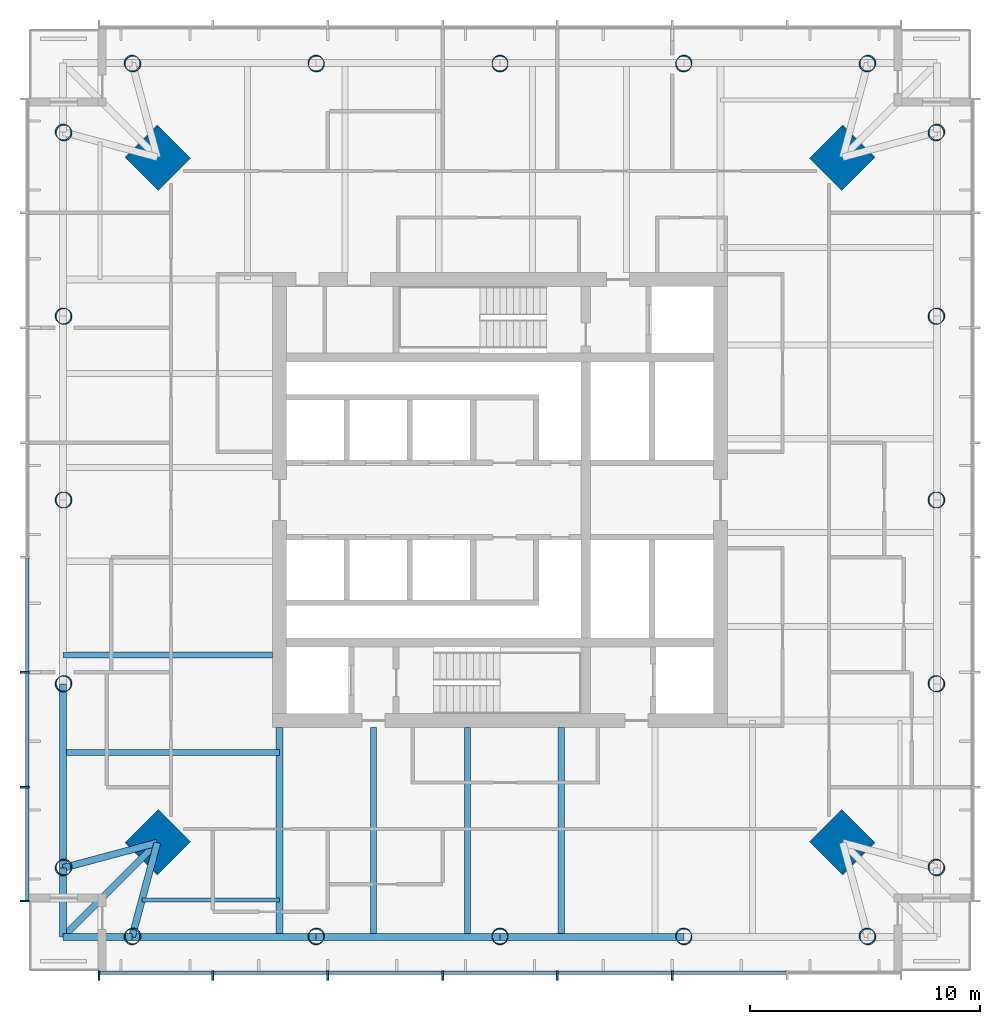
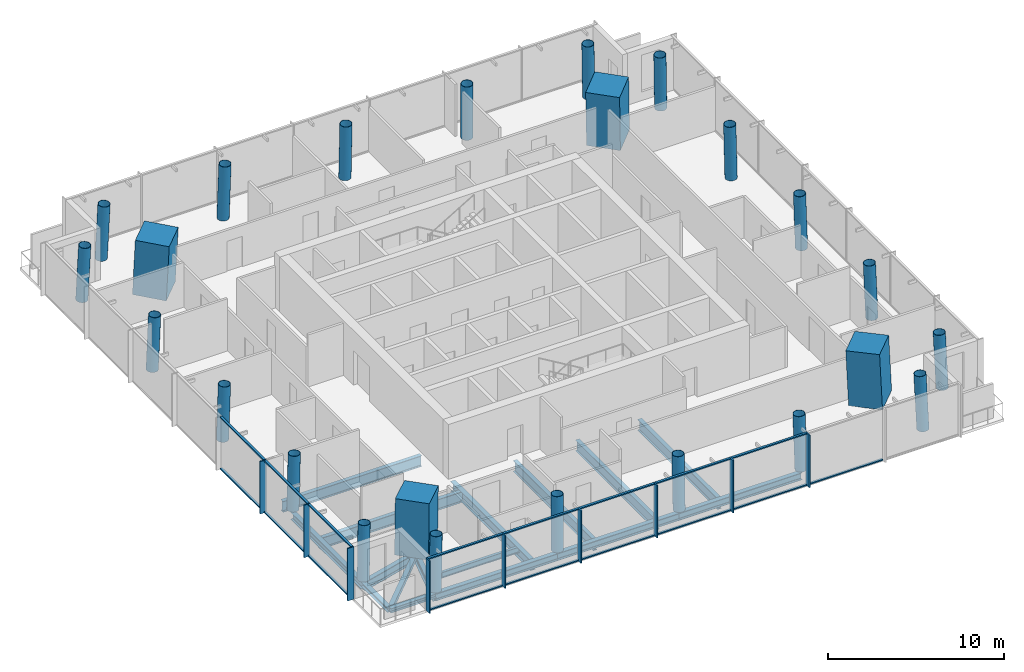
# One storey, part 1 of 9: 26 members, 24 columns, 16 beams, 2 elements without a shape of their own.
"""IFC4 building model written with IfcOpenShell, lengths in metres."""

import ifcopenshell
import ifcopenshell.guid

model = None  # the IFC model being written
_history = None  # IfcOwnerHistory: only IFC2X3 demands one
_inside = {}  # id of a spatial element -> (the spatial element, [elements in it])
_under = {}  # id of a project, library or spatial element -> (it, [spatial elements below it])
_declared = {}  # id of a project -> (the project, [libraries it declares])
_typed = {}  # id of a type object -> (the type object, [elements of that type])
_made_of = {}  # id of a material, layer set ... -> (it, [elements and type objects made of it])


def new_model(schema):
    """Start an empty IFC model of exactly this schema.

    Asked for "IFC4X3", IfcOpenShell would pick the latest addendum, in which some entities
    have other attributes; the version numbers below select the first issue.
    IFC2X3 requires an IfcOwnerHistory on every rooted entity: one is made here for all.
    """
    global model, _history
    if schema == "IFC4X3":
        model = ifcopenshell.file(schema_version=(4, 3, 0, 0))
    else:
        model = ifcopenshell.file(schema=schema)
    _inside.clear()
    _under.clear()
    _declared.clear()
    _typed.clear()
    _made_of.clear()
    _history = None
    if model.schema == "IFC2X3":
        org = make("IfcOrganization", Name="unknown")
        user = make(
            "IfcPersonAndOrganization",
            ThePerson=make("IfcPerson", FamilyName="unknown"),
            TheOrganization=org,
        )
        app = make(
            "IfcApplication",
            ApplicationDeveloper=org,
            Version="unknown",
            ApplicationFullName="unknown",
            ApplicationIdentifier="unknown",
        )
        _history = make(
            "IfcOwnerHistory",
            OwningUser=user,
            OwningApplication=app,
            ChangeAction="ADDED",
            CreationDate=0,
        )
    return model


def make(cls, **values):
    """One entity of the class cls with the attributes given. An attribute that is None is left unset."""
    return model.create_entity(
        cls, **{name: value for name, value in values.items() if value is not None}
    )


def rooted(cls, **values):
    """An entity with a GlobalId (a new one), such as an element, a storey or a relation."""
    return make(cls, GlobalId=ifcopenshell.guid.new(), OwnerHistory=_history, **values)


def si_unit(unit_type, name, prefix=None):
    """IfcSIUnit, for example si_unit("LENGTHUNIT", "METRE", prefix="MILLI")."""
    return make("IfcSIUnit", UnitType=unit_type, Prefix=prefix, Name=name)


def assignment(units):
    """IfcUnitAssignment: the units of a project."""
    return None if units is None else make("IfcUnitAssignment", Units=units)


def point(xyz):
    """IfcCartesianPoint."""
    return None if xyz is None else make("IfcCartesianPoint", Coordinates=xyz)


def direction(xyz):
    """IfcDirection."""
    return None if xyz is None else make("IfcDirection", DirectionRatios=xyz)


def frame(location, z_axis=None, x_axis=None):
    """IfcAxis2Placement3D, a coordinate frame: its origin and axes. An axis left out is left unset."""
    return make(
        "IfcAxis2Placement3D",
        Location=point(location),
        Axis=direction(z_axis),
        RefDirection=direction(x_axis),
    )


def frame_2d(location, x_axis=None):
    """IfcAxis2Placement2D, a coordinate frame in the plane: its origin and x axis."""
    return make(
        "IfcAxis2Placement2D", Location=point(location), RefDirection=direction(x_axis)
    )


def origin():
    """The frame at (0, 0, 0) with its axes left unset."""
    return frame((0.0, 0.0, 0.0))


def origin_2d():
    """The frame at (0, 0) in the plane with its x axis left unset."""
    return frame_2d((0.0, 0.0))


def place(relative_to, where):
    """IfcLocalPlacement: puts the frame where relative to a parent placement (None: the world)."""
    return make(
        "IfcLocalPlacement", PlacementRelTo=relative_to, RelativePlacement=where
    )


def context(
    kind, dimensions, precision=None, world=None, true_north=None, identifier=None
):
    """IfcGeometricRepresentationContext, for example the 3D "Model" context."""
    return make(
        "IfcGeometricRepresentationContext",
        ContextIdentifier=identifier,
        ContextType=kind,
        CoordinateSpaceDimension=dimensions,
        Precision=precision,
        WorldCoordinateSystem=world,
        TrueNorth=true_north,
    )


def subcontext(parent, identifier, kind, view, scale=None):
    """IfcGeometricRepresentationSubContext, for example "Body" below "Model"."""
    return make(
        "IfcGeometricRepresentationSubContext",
        ContextIdentifier=identifier,
        ContextType=kind,
        ParentContext=parent,
        TargetScale=scale,
        TargetView=view,
    )


def project(units=None, contexts=None):
    """IfcProject with its units and contexts."""
    return rooted(
        "IfcProject",
        Name="project",
        RepresentationContexts=contexts,
        UnitsInContext=assignment(units),
    )


def spatial(cls, under=None, at=None, **own):
    """A site, building, storey or space (cls), placed at a placement, below another one or the project."""
    s = rooted(cls, ObjectPlacement=at, **own)
    if under is not None:
        _under.setdefault(under.id(), (under, []))[1].append(s)
    return s


def profile(cls, at=None, kind="AREA", **sizes):
    """A parametric profile (cls). Its sizes go by their IFC names, for example OverallWidth=200.0."""
    return make(cls, ProfileType=kind, Position=at, **sizes)


def rectangle(**sizes):
    """IfcRectangleProfileDef."""
    return profile("IfcRectangleProfileDef", **sizes)


def hollow_circle(**sizes):
    """IfcCircleHollowProfileDef."""
    return profile("IfcCircleHollowProfileDef", **sizes)


def i_section(**sizes):
    """IfcIShapeProfileDef."""
    return profile("IfcIShapeProfileDef", **sizes)


def extrude(swept, where, along, depth):
    """IfcExtrudedAreaSolid: the profile swept, set in the frame where, extruded along a direction by depth."""
    return make(
        "IfcExtrudedAreaSolid",
        SweptArea=swept,
        Position=where,
        ExtrudedDirection=direction(along),
        Depth=depth,
    )


def shape(context_of_items, identifier, shape_type, items):
    """IfcShapeRepresentation: the items that make up one representation, for example the "Body"."""
    return make(
        "IfcShapeRepresentation",
        ContextOfItems=context_of_items,
        RepresentationIdentifier=identifier,
        RepresentationType=shape_type,
        Items=items,
    )


def material(Name=None, Category=None):
    """IfcMaterial."""
    return make("IfcMaterial", Name=Name, Category=Category)


def material_profile(
    of_material, cross_section, Name=None, Category=None, Priority=None
):
    """IfcMaterialProfile: a cross section and its material."""
    return make(
        "IfcMaterialProfile",
        Name=Name,
        Material=of_material,
        Profile=cross_section,
        Priority=Priority,
        Category=Category,
    )


def profile_set(profiles, Name=None, composite=None):
    """IfcMaterialProfileSet."""
    return make(
        "IfcMaterialProfileSet",
        Name=Name,
        MaterialProfiles=profiles,
        CompositeProfile=composite,
    )


def made_of(thing, what):
    """Note that an element or type object is made of a material, layer set ...; save() writes the relation."""
    if what is not None:
        _made_of.setdefault(what.id(), (what, []))[1].append(thing)
    return thing


def type_object(cls, material=None, **own):
    """A type object (cls), such as IfcWallType, which elements share."""
    return made_of(rooted(cls, **own), material)


def element(
    cls,
    number,
    at=None,
    inside=None,
    cuts=None,
    type_object=None,
    material=None,
    context=None,
    identifier="Body",
    shape_type=None,
    held_by="IfcProductDefinitionShape",
    body=None,
    shapes=None,
    **own,
):
    """One element of the class cls, such as IfcWall. Its Tag is "e" and its number.

    at: its placement. inside: the storey or other place that contains it. cuts: it is an
    opening in that element (IfcRelVoidsElement). A single representation is given by context,
    identifier, shape_type and body (its items); several are given by shapes. held_by: the class
    of the entity that holds the representations. save() writes the other relations.
    """
    e = rooted(cls, Tag="e%d" % number, ObjectPlacement=at, **own)
    if body is not None:
        shapes = [shape(context, identifier, shape_type, body)]
    if shapes is not None:
        e.Representation = make(held_by, Representations=shapes)
    if inside is not None:
        _inside.setdefault(inside.id(), (inside, []))[1].append(e)
    if cuts is not None:
        rooted(
            "IfcRelVoidsElement", RelatingBuildingElement=cuts, RelatedOpeningElement=e
        )
    if type_object is not None:
        _typed.setdefault(type_object.id(), (type_object, []))[1].append(e)
    return made_of(e, material)


def aggregate(whole, parts):
    """IfcRelAggregates: a whole, such as a stair, and the parts it consists of."""
    return rooted("IfcRelAggregates", RelatingObject=whole, RelatedObjects=parts)


def save(model, path):
    """Write the relations noted so far, then the file.

    IfcRelAggregates (storeys below a building ...), IfcRelContainedInSpatialStructure (elements
    in a storey), IfcRelDefinesByType, IfcRelAssociatesMaterial and IfcRelDeclares: one each for
    every whole, place, type object, material and project.
    """
    for whole, parts in _under.values():
        aggregate(whole, parts)
    for where, things in _inside.values():
        rooted(
            "IfcRelContainedInSpatialStructure",
            RelatedElements=things,
            RelatingStructure=where,
        )
    for kind, things in _typed.values():
        rooted("IfcRelDefinesByType", RelatedObjects=things, RelatingType=kind)
    for what, things in _made_of.values():
        rooted("IfcRelAssociatesMaterial", RelatedObjects=things, RelatingMaterial=what)
    for by, libraries in _declared.values():
        rooted("IfcRelDeclares", RelatingContext=by, RelatedDefinitions=libraries)
    model.write(path)


model = new_model("IFC4")

# Units and contexts
model_context = context("Model", 3, precision=1e-05, world=origin(), true_north=direction((0.0, 1.0)))
body_context = subcontext(model_context, "Body", "Model", "MODEL_VIEW")
ifc_project = project(units=[si_unit("LENGTHUNIT", "METRE"), si_unit("AREAUNIT", "SQUARE_METRE"), si_unit("VOLUMEUNIT", "CUBIC_METRE"), si_unit("PLANEANGLEUNIT", "RADIAN"), si_unit("MASSUNIT", "GRAM", prefix="KILO")], contexts=[model_context])

# Site, building, storey
site_placement = place(None, origin())
site = spatial("IfcSite", under=ifc_project, at=site_placement, CompositionType="ELEMENT")
building_placement = place(site_placement, origin())
building = spatial("IfcBuilding", under=site, at=building_placement, Name="Ostroluk Exchange", CompositionType="ELEMENT")
storey_placement = place(building_placement, frame((0.0, 0.0, 176.800048828125)))
storey = spatial("IfcBuildingStorey", under=building, at=storey_placement, Name="L45", CompositionType="ELEMENT", Elevation=176.800048828125)

# Columns
ifc_material_1 = material(Name="Concrete C50/60", Category="concrete")
ifc_material_profile_1 = material_profile(ifc_material_1, rectangle(XDim=2.0, YDim=2.0, at=origin_2d()), Name="RC 2000x2000")
ifc_profile_set_1 = profile_set([ifc_material_profile_1], Name="Concrete C50/60")
column_type_1 = type_object("IfcColumnType", Name="Mega column RC 2000x2000", PredefinedType="COLUMN", material=ifc_profile_set_1)
for number, where, z_axis, x_axis, name in (
    (1, (59.92138671875, 60.92138671875, 0.0), (-0.031898107953, -0.031898107953, 0.998981992539), (0.707106781187, -0.707106781187, 0.0), "T1 mega column NE"),
    (2, (30.07861328125, 60.92138671875, 0.0), (0.031898107953, -0.031898107953, 0.998981992539), (0.707106781187, 0.707106781187, 0.0), "T1 mega column NW"),
    (3, (30.07861328125, 31.07861328125, 0.0), (0.031898107953, 0.031898107953, 0.998981992539), (-0.707106781187, 0.707106781187, 0.0), "T1 mega column SW"),
    (4, (59.92138671875, 31.07861328125, 0.0), (-0.031898107953, 0.031898107953, 0.998981992539), (-0.707106781187, -0.707106781187, 0.0), "T1 mega column SE"),
):
    element("IfcColumn", number, at=place(storey_placement, frame(where, z_axis=z_axis, x_axis=x_axis)), inside=storey, type_object=column_type_1, Name=name, PredefinedType="COLUMN", context=body_context, shape_type="SweptSolid", body=[
        extrude(rectangle(XDim=2.0, YDim=2.0, at=origin_2d()), origin(), (0.0, 0.0, 1.0), 3.803955078125),
    ])
ifc_material_2 = material(Name="Steel S460", Category="steel")
ifc_material_profile_2 = material_profile(ifc_material_2, hollow_circle(Radius=0.35546875, WallThickness=0.02490234375, at=origin_2d()), Name="CHS 711x25")
ifc_profile_set_2 = profile_set([ifc_material_profile_2], Name="Steel S460")
column_type_2 = type_object("IfcColumnType", Name="Perimeter column CHS 711x25", PredefinedType="COLUMN", material=ifc_profile_set_2)
for number, where, z_axis, x_axis, name in (
    (5, (64.021484375, 29.978515625, 0.0), (-0.031962158256, 0.031962158256, 0.998977898093), (-0.707106781187, -0.707106781187, 0.0), "T1 east face column E0"),
    (6, (64.021484375, 62.021484375, 0.0), (-0.031962158256, -0.031962158256, 0.998977898093), (0.707106781187, -0.707106781187, 0.0), "T1 east face column E1"),
):
    element("IfcColumn", number, at=place(storey_placement, frame(where, z_axis=z_axis, x_axis=x_axis)), inside=storey, type_object=column_type_2, Name=name, PredefinedType="COLUMN", context=body_context, shape_type="SweptSolid", body=[
        extrude(hollow_circle(Radius=0.35546875, WallThickness=0.02490234375, at=origin_2d()), origin(), (0.0, 0.0, 1.0), 3.803955078125),
    ])
column_1_placement = place(storey_placement, frame((64.021484375, 37.9892578125, 0.0), z_axis=(-0.031974409754, 0.015987204877, 0.999360818924), x_axis=(-0.4472135955, -0.894427191, 0.0)))
element("IfcColumn", 7, at=column_1_placement, inside=storey, type_object=column_type_2, Name="T1 east face column I1", PredefinedType="COLUMN", context=body_context, shape_type="SweptSolid", body=[
    extrude(hollow_circle(Radius=0.35546875, WallThickness=0.02490234375, at=origin_2d()), origin(), (0.0, 0.0, 1.0), 3.802490234375),
])
column_2_placement = place(storey_placement, frame((64.021484375, 46.0, 0.0), z_axis=(-0.031978496719, 0.0, 0.999488557087), x_axis=(0.0, -1.0, 0.0)))
element("IfcColumn", 8, at=column_2_placement, inside=storey, type_object=column_type_2, Name="T1 east face column I2", PredefinedType="COLUMN", context=body_context, shape_type="SweptSolid", body=[
    extrude(hollow_circle(Radius=0.35546875, WallThickness=0.02490234375, at=origin_2d()), origin(), (0.0, 0.0, 1.0), 3.802001953125),
])
column_3_placement = place(storey_placement, frame((64.021484375, 54.0107421875, 0.0), z_axis=(-0.031974409754, -0.015987204877, 0.999360818924), x_axis=(0.4472135955, -0.894427191, 0.0)))
element("IfcColumn", 9, at=column_3_placement, inside=storey, type_object=column_type_2, Name="T1 east face column I3", PredefinedType="COLUMN", context=body_context, shape_type="SweptSolid", body=[
    extrude(hollow_circle(Radius=0.35546875, WallThickness=0.02490234375, at=origin_2d()), origin(), (0.0, 0.0, 1.0), 3.802490234375),
])
for number, where, z_axis, x_axis, name in (
    (10, (61.021484375, 65.021484375, 0.0), (-0.031962158256, -0.031962158256, 0.998977898093), (0.707106781187, -0.707106781187, 0.0), "T1 north face column E0"),
    (11, (28.978515625, 65.021484375, 0.0), (0.031962158256, -0.031962158256, 0.998977898093), (0.707106781187, 0.707106781187, 0.0), "T1 north face column E1"),
):
    element("IfcColumn", number, at=place(storey_placement, frame(where, z_axis=z_axis, x_axis=x_axis)), inside=storey, type_object=column_type_2, Name=name, PredefinedType="COLUMN", context=body_context, shape_type="SweptSolid", body=[
        extrude(hollow_circle(Radius=0.35546875, WallThickness=0.02490234375, at=origin_2d()), origin(), (0.0, 0.0, 1.0), 3.803955078125),
    ])
column_4_placement = place(storey_placement, frame((53.0107421875, 65.021484375, 0.0), z_axis=(-0.015987204877, -0.031974409754, 0.999360818924), x_axis=(0.894427191, -0.4472135955, 0.0)))
element("IfcColumn", 12, at=column_4_placement, inside=storey, type_object=column_type_2, Name="T1 north face column I1", PredefinedType="COLUMN", context=body_context, shape_type="SweptSolid", body=[
    extrude(hollow_circle(Radius=0.35546875, WallThickness=0.02490234375, at=origin_2d()), origin(), (0.0, 0.0, 1.0), 3.802490234375),
])
column_5_placement = place(storey_placement, frame((45.0, 65.021484375, 0.0), z_axis=(0.0, -0.031978496719, 0.999488557087), x_axis=(1.0, 0.0, 0.0)))
element("IfcColumn", 13, at=column_5_placement, inside=storey, type_object=column_type_2, Name="T1 north face column I2", PredefinedType="COLUMN", context=body_context, shape_type="SweptSolid", body=[
    extrude(hollow_circle(Radius=0.35546875, WallThickness=0.02490234375, at=origin_2d()), origin(), (0.0, 0.0, 1.0), 3.802001953125),
])
column_6_placement = place(storey_placement, frame((36.9892578125, 65.021484375, 0.0), z_axis=(0.015987204877, -0.031974409754, 0.999360818924), x_axis=(0.894427191, 0.4472135955, 0.0)))
element("IfcColumn", 14, at=column_6_placement, inside=storey, type_object=column_type_2, Name="T1 north face column I3", PredefinedType="COLUMN", context=body_context, shape_type="SweptSolid", body=[
    extrude(hollow_circle(Radius=0.35546875, WallThickness=0.02490234375, at=origin_2d()), origin(), (0.0, 0.0, 1.0), 3.802490234375),
])
for number, where, z_axis, x_axis, name in (
    (15, (25.978515625, 62.021484375, 0.0), (0.031962158256, -0.031962158256, 0.998977898093), (0.707106781187, 0.707106781187, 0.0), "T1 west face column E0"),
    (16, (25.978515625, 29.978515625, 0.0), (0.031962158256, 0.031962158256, 0.998977898093), (-0.707106781187, 0.707106781187, 0.0), "T1 west face column E1"),
):
    element("IfcColumn", number, at=place(storey_placement, frame(where, z_axis=z_axis, x_axis=x_axis)), inside=storey, type_object=column_type_2, Name=name, PredefinedType="COLUMN", context=body_context, shape_type="SweptSolid", body=[
        extrude(hollow_circle(Radius=0.35546875, WallThickness=0.02490234375, at=origin_2d()), origin(), (0.0, 0.0, 1.0), 3.803955078125),
    ])
column_7_placement = place(storey_placement, frame((25.978515625, 54.0107421875, 0.0), z_axis=(0.031974409754, -0.015987204877, 0.999360818924), x_axis=(0.4472135955, 0.894427191, 0.0)))
element("IfcColumn", 17, at=column_7_placement, inside=storey, type_object=column_type_2, Name="T1 west face column I1", PredefinedType="COLUMN", context=body_context, shape_type="SweptSolid", body=[
    extrude(hollow_circle(Radius=0.35546875, WallThickness=0.02490234375, at=origin_2d()), origin(), (0.0, 0.0, 1.0), 3.802490234375),
])
column_8_placement = place(storey_placement, frame((25.978515625, 46.0, 0.0), z_axis=(0.031978496719, 0.0, 0.999488557087), x_axis=(0.0, 1.0, 0.0)))
element("IfcColumn", 18, at=column_8_placement, inside=storey, type_object=column_type_2, Name="T1 west face column I2", PredefinedType="COLUMN", context=body_context, shape_type="SweptSolid", body=[
    extrude(hollow_circle(Radius=0.35546875, WallThickness=0.02490234375, at=origin_2d()), origin(), (0.0, 0.0, 1.0), 3.802001953125),
])
column_9_placement = place(storey_placement, frame((25.978515625, 37.9892578125, 0.0), z_axis=(0.031974409754, 0.015987204877, 0.999360818924), x_axis=(-0.4472135955, 0.894427191, 0.0)))
element("IfcColumn", 19, at=column_9_placement, inside=storey, type_object=column_type_2, Name="T1 west face column I3", PredefinedType="COLUMN", context=body_context, shape_type="SweptSolid", body=[
    extrude(hollow_circle(Radius=0.35546875, WallThickness=0.02490234375, at=origin_2d()), origin(), (0.0, 0.0, 1.0), 3.802490234375),
])
for number, where, z_axis, x_axis, name in (
    (20, (28.978515625, 26.978515625, 0.0), (0.031962158256, 0.031962158256, 0.998977898093), (-0.707106781187, 0.707106781187, 0.0), "T1 south face column E0"),
    (21, (61.021484375, 26.978515625, 0.0), (-0.031962158256, 0.031962158256, 0.998977898093), (-0.707106781187, -0.707106781187, 0.0), "T1 south face column E1"),
):
    element("IfcColumn", number, at=place(storey_placement, frame(where, z_axis=z_axis, x_axis=x_axis)), inside=storey, type_object=column_type_2, Name=name, PredefinedType="COLUMN", context=body_context, shape_type="SweptSolid", body=[
        extrude(hollow_circle(Radius=0.35546875, WallThickness=0.02490234375, at=origin_2d()), origin(), (0.0, 0.0, 1.0), 3.803955078125),
    ])
column_10_placement = place(storey_placement, frame((36.9892578125, 26.978515625, 0.0), z_axis=(0.015987204877, 0.031974409754, 0.999360818924), x_axis=(-0.894427191, 0.4472135955, 0.0)))
element("IfcColumn", 22, at=column_10_placement, inside=storey, type_object=column_type_2, Name="T1 south face column I1", PredefinedType="COLUMN", context=body_context, shape_type="SweptSolid", body=[
    extrude(hollow_circle(Radius=0.35546875, WallThickness=0.02490234375, at=origin_2d()), origin(), (0.0, 0.0, 1.0), 3.802490234375),
])
column_11_placement = place(storey_placement, frame((45.0, 26.978515625, 0.0), z_axis=(0.0, 0.031978496719, 0.999488557087), x_axis=(-1.0, 0.0, 0.0)))
element("IfcColumn", 23, at=column_11_placement, inside=storey, type_object=column_type_2, Name="T1 south face column I2", PredefinedType="COLUMN", context=body_context, shape_type="SweptSolid", body=[
    extrude(hollow_circle(Radius=0.35546875, WallThickness=0.02490234375, at=origin_2d()), origin(), (0.0, 0.0, 1.0), 3.802001953125),
])
column_12_placement = place(storey_placement, frame((53.0107421875, 26.978515625, 0.0), z_axis=(-0.015987204877, 0.031974409754, 0.999360818924), x_axis=(-0.894427191, -0.4472135955, 0.0)))
element("IfcColumn", 24, at=column_12_placement, inside=storey, type_object=column_type_2, Name="T1 south face column I3", PredefinedType="COLUMN", context=body_context, shape_type="SweptSolid", body=[
    extrude(hollow_circle(Radius=0.35546875, WallThickness=0.02490234375, at=origin_2d()), origin(), (0.0, 0.0, 1.0), 3.802490234375),
])

# Beams
ifc_material_3 = material(Name="Steel S355", Category="steel")
ifc_material_profile_3 = material_profile(ifc_material_3, i_section(OverallWidth=0.300048828125, OverallDepth=0.300048828125, WebThickness=0.010986328125, FlangeThickness=0.01904296875, FilletRadius=0.027099609375, at=origin_2d()), Name="HEB 300")
ifc_profile_set_3 = profile_set([ifc_material_profile_3], Name="Steel S355")
beam_type_1 = type_object("IfcBeamType", Name="Balcony beam HEB 300", PredefinedType="BEAM", material=ifc_profile_set_3)
for number, where, z_axis, x_axis, name in (
    (25, (25.978515625, 29.978515625, -0.330078125), (0.0, -1.0, 0.0), (1.0, 0.0, 0.0), "T1 west balcony beam a"),
    (26, (28.978515625, 26.978515625, -0.330078125), (-1.0, 0.0, 0.0), (0.0, -1.0, 0.0), "T1 west balcony beam b"),
):
    element("IfcBeam", number, at=place(storey_placement, frame(where, z_axis=z_axis, x_axis=x_axis)), inside=storey, type_object=beam_type_1, Name=name, PredefinedType="BEAM", context=body_context, shape_type="SweptSolid", body=[
        extrude(i_section(OverallWidth=0.300048828125, OverallDepth=0.300048828125, WebThickness=0.010986328125, FlangeThickness=0.01904296875, FilletRadius=0.027099609375, at=origin_2d()), origin(), (0.0, 0.0, 1.0), 3.0),
    ])
beam_1_placement = place(storey_placement, frame((30.07861328125, 31.07861328125, -0.330078125), z_axis=(-0.707106781187, -0.707106781187, 0.0), x_axis=(0.707106781187, -0.707106781187, 0.0)))
element("IfcBeam", 27, at=beam_1_placement, inside=storey, type_object=beam_type_1, Name="T1 west balcony beam c", PredefinedType="BEAM", context=body_context, shape_type="SweptSolid", body=[
    extrude(i_section(OverallWidth=0.300048828125, OverallDepth=0.300048828125, WebThickness=0.010986328125, FlangeThickness=0.01904296875, FilletRadius=0.027099609375, at=origin_2d()), origin(), (0.0, 0.0, 1.0), 5.79833984375),
])
ifc_material_4 = material(Name="Steel S355", Category="steel")
ifc_material_profile_4 = material_profile(ifc_material_4, i_section(OverallWidth=0.300048828125, OverallDepth=0.60009765625, WebThickness=0.015380859375, FlangeThickness=0.030029296875, FilletRadius=0.027099609375, at=origin_2d()), Name="HEB 600")
ifc_profile_set_4 = profile_set([ifc_material_profile_4], Name="Steel S355")
beam_type_2 = type_object("IfcBeamType", Name="Corner edge beam HEB 600", PredefinedType="SPANDREL", material=ifc_profile_set_4)
for number, where, z_axis, x_axis, name in (
    (28, (30.07861328125, 31.07861328125, -0.47998046875), (-0.965838624319, -0.259144268261, 0.0), (0.259144268261, -0.965838624319, 0.0), "T1 west corner edge beam a"),
    (29, (30.07861328125, 31.07861328125, -0.47998046875), (-0.259144268261, -0.965838624319, 0.0), (0.965838624319, -0.259144268261, 0.0), "T1 west corner edge beam b"),
):
    element("IfcBeam", number, at=place(storey_placement, frame(where, z_axis=z_axis, x_axis=x_axis)), inside=storey, type_object=beam_type_2, Name=name, PredefinedType="SPANDREL", context=body_context, shape_type="SweptSolid", body=[
        extrude(i_section(OverallWidth=0.300048828125, OverallDepth=0.60009765625, WebThickness=0.015380859375, FlangeThickness=0.030029296875, FilletRadius=0.027099609375, at=origin_2d()), origin(), (0.0, 0.0, 1.0), 4.2451171875),
    ])
ifc_material_5 = material(Name="Steel S355", Category="steel")
ifc_material_profile_5 = material_profile(ifc_material_5, i_section(OverallWidth=0.179931640625, OverallDepth=0.39990234375, WebThickness=0.008544921875, FlangeThickness=0.013427734375, FilletRadius=0.02099609375, at=origin_2d()), Name="IPE 400")
ifc_profile_set_5 = profile_set([ifc_material_profile_5], Name="Steel S355")
beam_type_3 = type_object("IfcBeamType", Name="Floor beam IPE 400", PredefinedType="BEAM", material=ifc_profile_set_5)
beam_2_placement = place(storey_placement, frame((35.39990234375, 28.57861328125, -0.380126953125), z_axis=(-1.0, 0.0, 0.0), x_axis=(0.0, -1.0, 0.0)))
element("IfcBeam", 30, at=beam_2_placement, inside=storey, type_object=beam_type_3, Name="T1 west floor beam 6", PredefinedType="BEAM", context=body_context, shape_type="SweptSolid", body=[
    extrude(i_section(OverallWidth=0.179931640625, OverallDepth=0.39990234375, WebThickness=0.008544921875, FlangeThickness=0.013427734375, FilletRadius=0.02099609375, at=origin_2d()), origin(), (0.0, 0.0, 1.0), 5.991943359375),
])
ifc_material_6 = material(Name="Steel S355", Category="steel")
ifc_material_profile_6 = material_profile(ifc_material_6, i_section(OverallWidth=0.264892578125, OverallDepth=0.7529296875, WebThickness=0.01318359375, FlangeThickness=0.01708984375, FilletRadius=0.01708984375, at=origin_2d()), Name="IPE 750x147")
ifc_profile_set_6 = profile_set([ifc_material_profile_6], Name="Steel S355")
beam_type_4 = type_object("IfcBeamType", Name="Floor beam IPE 750x147", PredefinedType="BEAM", material=ifc_profile_set_6)
beam_3_placement = place(storey_placement, frame((35.10009765625, 39.244873046875, -0.556640625), z_axis=(-1.0, 0.0, 0.0), x_axis=(0.0, -1.0, 0.0)))
element("IfcBeam", 31, at=beam_3_placement, inside=storey, type_object=beam_type_4, Name="T1 west floor beam 4", PredefinedType="BEAM", context=body_context, shape_type="SweptSolid", body=[
    extrude(i_section(OverallWidth=0.264892578125, OverallDepth=0.7529296875, WebThickness=0.01318359375, FlangeThickness=0.01708984375, FilletRadius=0.01708984375, at=origin_2d()), origin(), (0.0, 0.0, 1.0), 9.12158203125),
])
beam_4_placement = place(storey_placement, frame((35.39990234375, 35.0, -0.556640625), z_axis=(-1.0, 0.0, 0.0), x_axis=(0.0, -1.0, 0.0)))
element("IfcBeam", 32, at=beam_4_placement, inside=storey, type_object=beam_type_4, Name="T1 west floor beam 5", PredefinedType="BEAM", context=body_context, shape_type="SweptSolid", body=[
    extrude(i_section(OverallWidth=0.264892578125, OverallDepth=0.7529296875, WebThickness=0.01318359375, FlangeThickness=0.01708984375, FilletRadius=0.01708984375, at=origin_2d()), origin(), (0.0, 0.0, 1.0), 9.42138671875),
])
for number, where, z_axis, x_axis, name in (
    (33, (39.48876953125, 36.10009765625, -0.556640625), (0.0, -1.0, 0.0), (1.0, 0.0, 0.0), "T1 south floor beam 1"),
    (34, (43.57763671875, 36.10009765625, -0.556640625), (0.0, -1.0, 0.0), (1.0, 0.0, 0.0), "T1 south floor beam 2"),
    (35, (47.666259765625, 36.10009765625, -0.556640625), (0.0, -1.0, 0.0), (1.0, 0.0, 0.0), "T1 south floor beam 3"),
):
    element("IfcBeam", number, at=place(storey_placement, frame(where, z_axis=z_axis, x_axis=x_axis)), inside=storey, type_object=beam_type_4, Name=name, PredefinedType="BEAM", context=body_context, shape_type="SweptSolid", body=[
        extrude(i_section(OverallWidth=0.264892578125, OverallDepth=0.7529296875, WebThickness=0.01318359375, FlangeThickness=0.01708984375, FilletRadius=0.01708984375, at=origin_2d()), origin(), (0.0, 0.0, 1.0), 9.12158203125),
    ])
ifc_material_7 = material(Name="Steel S355", Category="steel")
ifc_material_profile_7 = material_profile(ifc_material_7, i_section(OverallWidth=0.300048828125, OverallDepth=0.699951171875, WebThickness=0.01708984375, FlangeThickness=0.031982421875, FilletRadius=0.027099609375, at=origin_2d()), Name="HEB 700")
ifc_profile_set_7 = profile_set([ifc_material_profile_7], Name="Steel S355")
beam_type_5 = type_object("IfcBeamType", Name="Girder HEB 700", PredefinedType="BEAM", material=ifc_profile_set_7)
beam_5_placement = place(storey_placement, frame((35.39990234375, 36.10009765625, -0.530029296875), z_axis=(0.0, -1.0, 0.0), x_axis=(1.0, 0.0, 0.0)))
element("IfcBeam", 36, at=beam_5_placement, inside=storey, type_object=beam_type_5, Name="T1 west girder", PredefinedType="BEAM", context=body_context, shape_type="SweptSolid", body=[
    extrude(i_section(OverallWidth=0.300048828125, OverallDepth=0.699951171875, WebThickness=0.01708984375, FlangeThickness=0.031982421875, FilletRadius=0.027099609375, at=origin_2d()), origin(), (0.0, 0.0, 1.0), 9.12158203125),
])
ifc_material_8 = material(Name="Steel S355", Category="steel")
ifc_material_profile_8 = material_profile(ifc_material_8, i_section(OverallWidth=0.300048828125, OverallDepth=0.5, WebThickness=0.014404296875, FlangeThickness=0.028076171875, FilletRadius=0.027099609375, at=origin_2d()), Name="HEB 500")
ifc_profile_set_8 = profile_set([ifc_material_profile_8], Name="Steel S355")
beam_type_6 = type_object("IfcBeamType", Name="Moment-connected edge beam HEB 500", PredefinedType="SPANDREL", material=ifc_profile_set_8)
for number, where, z_axis, x_axis, name in (
    (37, (25.978515625, 37.9892578125, -0.429931640625), (0.0, -1.0, 0.0), (1.0, 0.0, 0.0), "T1 west edge beam 4"),
    (38, (28.978515625, 26.978515625, -0.429931640625), (1.0, 0.0, 0.0), (0.0, 1.0, 0.0), "T1 south edge beam 1"),
    (39, (36.9892578125, 26.978515625, -0.429931640625), (1.0, 0.0, 0.0), (0.0, 1.0, 0.0), "T1 south edge beam 2"),
    (40, (45.0, 26.978515625, -0.429931640625), (1.0, 0.0, 0.0), (0.0, 1.0, 0.0), "T1 south edge beam 3"),
):
    element("IfcBeam", number, at=place(storey_placement, frame(where, z_axis=z_axis, x_axis=x_axis)), inside=storey, type_object=beam_type_6, Name=name, PredefinedType="SPANDREL", context=body_context, shape_type="SweptSolid", body=[
        extrude(i_section(OverallWidth=0.300048828125, OverallDepth=0.5, WebThickness=0.014404296875, FlangeThickness=0.028076171875, FilletRadius=0.027099609375, at=origin_2d()), origin(), (0.0, 0.0, 1.0), 8.0107421875),
    ])

# Curtain wall, members
ifc_material_9 = material(Name="Laminated clear glass", Category="glass")
curtain_wall_type = type_object("IfcCurtainWallType", Name="Office tower facade", PredefinedType="USERDEFINED", material=ifc_material_9)
curtain_wall_1_placement = place(storey_placement, origin())
curtain_wall_1 = element("IfcCurtainWall", 41, at=curtain_wall_1_placement, inside=storey, type_object=curtain_wall_type, Name="Office tower south facade L45", ObjectType="UNITISED CURTAIN WALL", PredefinedType="USERDEFINED")
ifc_material_10 = material(Name="Aluminium mullion", Category="aluminium")
ifc_material_profile_9 = material_profile(ifc_material_10, rectangle(XDim=0.14990234375, YDim=0.080078125, at=origin_2d()), Name="Sill transom 80 x 150")
ifc_profile_set_9 = profile_set([ifc_material_profile_9], Name="Aluminium mullion")
member_type_1 = type_object("IfcMemberType", Name="Sill transom 80 x 150", PredefinedType="USERDEFINED", material=ifc_profile_set_9)
member_1_placement = place(storey_placement, frame((27.580078125, 25.425048828125, 0.0400390625), z_axis=(1.0, 0.0, 0.0), x_axis=(0.0, 1.0, 0.0)))
member_1 = element("IfcMember", 42, at=member_1_placement, type_object=member_type_1, Name="CW-O1 transom 1.1", ObjectType="TRANSOM", PredefinedType="USERDEFINED", context=body_context, shape_type="SweptSolid", body=[
    extrude(rectangle(XDim=0.14990234375, YDim=0.080078125, at=origin_2d()), origin(), (0.0, 0.0, 1.0), 4.8798828125),
])
member_2_placement = place(storey_placement, frame((27.580078125, 25.425048828125, 3.60986328125), z_axis=(1.0, 0.0, 0.0), x_axis=(0.0, 1.0, 0.0)))
member_2 = element("IfcMember", 43, at=member_2_placement, type_object=member_type_1, Name="CW-O1 transom 1.2", ObjectType="TRANSOM", PredefinedType="USERDEFINED", context=body_context, shape_type="SweptSolid", body=[
    extrude(rectangle(XDim=0.14990234375, YDim=0.080078125, at=origin_2d()), origin(), (0.0, 0.0, 1.0), 4.8798828125),
])
member_3_placement = place(storey_placement, frame((32.5400390625, 25.425048828125, 0.0400390625), z_axis=(1.0, 0.0, 0.0), x_axis=(0.0, 1.0, 0.0)))
member_3 = element("IfcMember", 44, at=member_3_placement, type_object=member_type_1, Name="CW-O1 transom 2.1", ObjectType="TRANSOM", PredefinedType="USERDEFINED", context=body_context, shape_type="SweptSolid", body=[
    extrude(rectangle(XDim=0.14990234375, YDim=0.080078125, at=origin_2d()), origin(), (0.0, 0.0, 1.0), 4.919921875),
])
member_4_placement = place(storey_placement, frame((32.5400390625, 25.425048828125, 3.60986328125), z_axis=(1.0, 0.0, 0.0), x_axis=(0.0, 1.0, 0.0)))
member_4 = element("IfcMember", 45, at=member_4_placement, type_object=member_type_1, Name="CW-O1 transom 2.2", ObjectType="TRANSOM", PredefinedType="USERDEFINED", context=body_context, shape_type="SweptSolid", body=[
    extrude(rectangle(XDim=0.14990234375, YDim=0.080078125, at=origin_2d()), origin(), (0.0, 0.0, 1.0), 4.919921875),
])
member_5_placement = place(storey_placement, frame((37.5400390625, 25.425048828125, 0.0400390625), z_axis=(1.0, 0.0, 0.0), x_axis=(0.0, 1.0, 0.0)))
member_5 = element("IfcMember", 46, at=member_5_placement, type_object=member_type_1, Name="CW-O1 transom 3.1", ObjectType="TRANSOM", PredefinedType="USERDEFINED", context=body_context, shape_type="SweptSolid", body=[
    extrude(rectangle(XDim=0.14990234375, YDim=0.080078125, at=origin_2d()), origin(), (0.0, 0.0, 1.0), 4.919921875),
])
member_6_placement = place(storey_placement, frame((37.5400390625, 25.425048828125, 3.60986328125), z_axis=(1.0, 0.0, 0.0), x_axis=(0.0, 1.0, 0.0)))
member_6 = element("IfcMember", 47, at=member_6_placement, type_object=member_type_1, Name="CW-O1 transom 3.2", ObjectType="TRANSOM", PredefinedType="USERDEFINED", context=body_context, shape_type="SweptSolid", body=[
    extrude(rectangle(XDim=0.14990234375, YDim=0.080078125, at=origin_2d()), origin(), (0.0, 0.0, 1.0), 4.919921875),
])
member_7_placement = place(storey_placement, frame((42.5400390625, 25.425048828125, 0.0400390625), z_axis=(1.0, 0.0, 0.0), x_axis=(0.0, 1.0, 0.0)))
member_7 = element("IfcMember", 48, at=member_7_placement, type_object=member_type_1, Name="CW-O1 transom 4.1", ObjectType="TRANSOM", PredefinedType="USERDEFINED", context=body_context, shape_type="SweptSolid", body=[
    extrude(rectangle(XDim=0.14990234375, YDim=0.080078125, at=origin_2d()), origin(), (0.0, 0.0, 1.0), 4.919921875),
])
member_8_placement = place(storey_placement, frame((42.5400390625, 25.425048828125, 3.60986328125), z_axis=(1.0, 0.0, 0.0), x_axis=(0.0, 1.0, 0.0)))
member_8 = element("IfcMember", 49, at=member_8_placement, type_object=member_type_1, Name="CW-O1 transom 4.2", ObjectType="TRANSOM", PredefinedType="USERDEFINED", context=body_context, shape_type="SweptSolid", body=[
    extrude(rectangle(XDim=0.14990234375, YDim=0.080078125, at=origin_2d()), origin(), (0.0, 0.0, 1.0), 4.919921875),
])
member_9_placement = place(storey_placement, frame((47.5400390625, 25.425048828125, 0.0400390625), z_axis=(1.0, 0.0, 0.0), x_axis=(0.0, 1.0, 0.0)))
member_9 = element("IfcMember", 50, at=member_9_placement, type_object=member_type_1, Name="CW-O1 transom 5.1", ObjectType="TRANSOM", PredefinedType="USERDEFINED", context=body_context, shape_type="SweptSolid", body=[
    extrude(rectangle(XDim=0.14990234375, YDim=0.080078125, at=origin_2d()), origin(), (0.0, 0.0, 1.0), 4.919921875),
])
member_10_placement = place(storey_placement, frame((47.5400390625, 25.425048828125, 3.60986328125), z_axis=(1.0, 0.0, 0.0), x_axis=(0.0, 1.0, 0.0)))
member_10 = element("IfcMember", 51, at=member_10_placement, type_object=member_type_1, Name="CW-O1 transom 5.2", ObjectType="TRANSOM", PredefinedType="USERDEFINED", context=body_context, shape_type="SweptSolid", body=[
    extrude(rectangle(XDim=0.14990234375, YDim=0.080078125, at=origin_2d()), origin(), (0.0, 0.0, 1.0), 4.919921875),
])
member_11_placement = place(storey_placement, frame((52.5400390625, 25.425048828125, 0.0400390625), z_axis=(1.0, 0.0, 0.0), x_axis=(0.0, 1.0, 0.0)))
member_11 = element("IfcMember", 52, at=member_11_placement, type_object=member_type_1, Name="CW-O1 transom 6.1", ObjectType="TRANSOM", PredefinedType="USERDEFINED", context=body_context, shape_type="SweptSolid", body=[
    extrude(rectangle(XDim=0.14990234375, YDim=0.080078125, at=origin_2d()), origin(), (0.0, 0.0, 1.0), 4.919921875),
])

curtain_wall_2_placement = place(storey_placement, origin())
curtain_wall_2 = element("IfcCurtainWall", 53, at=curtain_wall_2_placement, inside=storey, type_object=curtain_wall_type, Name="Office tower west facade L45", ObjectType="UNITISED CURTAIN WALL", PredefinedType="USERDEFINED")
member_12_placement = place(storey_placement, frame((24.425048828125, 43.4599609375, 0.0400390625), z_axis=(0.0, -1.0, 0.0), x_axis=(1.0, 0.0, 0.0)))
member_12 = element("IfcMember", 54, at=member_12_placement, type_object=member_type_1, Name="CW-O1 transom 5.1", ObjectType="TRANSOM", PredefinedType="USERDEFINED", context=body_context, shape_type="SweptSolid", body=[
    extrude(rectangle(XDim=0.14990234375, YDim=0.080078125, at=origin_2d()), origin(), (0.0, 0.0, 1.0), 4.919921875),
])
member_13_placement = place(storey_placement, frame((24.425048828125, 43.4599609375, 3.60986328125), z_axis=(0.0, -1.0, 0.0), x_axis=(1.0, 0.0, 0.0)))
member_13 = element("IfcMember", 55, at=member_13_placement, type_object=member_type_1, Name="CW-O1 transom 5.2", ObjectType="TRANSOM", PredefinedType="USERDEFINED", context=body_context, shape_type="SweptSolid", body=[
    extrude(rectangle(XDim=0.14990234375, YDim=0.080078125, at=origin_2d()), origin(), (0.0, 0.0, 1.0), 4.919921875),
])
member_14_placement = place(storey_placement, frame((24.425048828125, 38.4599609375, 0.0400390625), z_axis=(0.0, -1.0, 0.0), x_axis=(1.0, 0.0, 0.0)))
member_14 = element("IfcMember", 56, at=member_14_placement, type_object=member_type_1, Name="CW-O1 transom 6.1", ObjectType="TRANSOM", PredefinedType="USERDEFINED", context=body_context, shape_type="SweptSolid", body=[
    extrude(rectangle(XDim=0.14990234375, YDim=0.080078125, at=origin_2d()), origin(), (0.0, 0.0, 1.0), 4.919921875),
])
member_15_placement = place(storey_placement, frame((24.425048828125, 38.4599609375, 3.60986328125), z_axis=(0.0, -1.0, 0.0), x_axis=(1.0, 0.0, 0.0)))
member_15 = element("IfcMember", 57, at=member_15_placement, type_object=member_type_1, Name="CW-O1 transom 6.2", ObjectType="TRANSOM", PredefinedType="USERDEFINED", context=body_context, shape_type="SweptSolid", body=[
    extrude(rectangle(XDim=0.14990234375, YDim=0.080078125, at=origin_2d()), origin(), (0.0, 0.0, 1.0), 4.919921875),
])
member_16_placement = place(storey_placement, frame((24.425048828125, 33.4599609375, 0.0400390625), z_axis=(0.0, -1.0, 0.0), x_axis=(1.0, 0.0, 0.0)))
member_16 = element("IfcMember", 58, at=member_16_placement, type_object=member_type_1, Name="CW-O1 transom 7.1", ObjectType="TRANSOM", PredefinedType="USERDEFINED", context=body_context, shape_type="SweptSolid", body=[
    extrude(rectangle(XDim=0.14990234375, YDim=0.080078125, at=origin_2d()), origin(), (0.0, 0.0, 1.0), 4.8798828125),
])
member_17_placement = place(storey_placement, frame((24.425048828125, 33.4599609375, 3.60986328125), z_axis=(0.0, -1.0, 0.0), x_axis=(1.0, 0.0, 0.0)))
member_17 = element("IfcMember", 59, at=member_17_placement, type_object=member_type_1, Name="CW-O1 transom 7.2", ObjectType="TRANSOM", PredefinedType="USERDEFINED", context=body_context, shape_type="SweptSolid", body=[
    extrude(rectangle(XDim=0.14990234375, YDim=0.080078125, at=origin_2d()), origin(), (0.0, 0.0, 1.0), 4.8798828125),
])

# Member
ifc_material_11 = material(Name="Aluminium mullion with limestone facing", Category="masonry")
ifc_material_profile_10 = material_profile(ifc_material_11, rectangle(XDim=0.39990234375, YDim=0.080078125, at=origin_2d()), Name="Tracery mullion 80 x 400")
ifc_profile_set_10 = profile_set([ifc_material_profile_10], Name="Aluminium mullion with limestone facing")
member_type_2 = type_object("IfcMemberType", Name="Tracery mullion 80 x 400", PredefinedType="MULLION", material=ifc_profile_set_10)
member_18_placement = place(storey_placement, frame((27.5400390625, 25.300048828125, 0.0), z_axis=(0.0, 0.0, 1.0), x_axis=(0.0, 1.0, 0.0)))
member_18 = element("IfcMember", 60, at=member_18_placement, type_object=member_type_2, Name="CW-O1 mullion 1", PredefinedType="MULLION", context=body_context, shape_type="SweptSolid", body=[
    extrude(rectangle(XDim=0.39990234375, YDim=0.080078125, at=origin_2d()), origin(), (0.0, 0.0, 1.0), 3.64990234375),
])

member_19_placement = place(storey_placement, frame((32.5, 25.300048828125, 0.0), z_axis=(0.0, 0.0, 1.0), x_axis=(0.0, 1.0, 0.0)))
member_19 = element("IfcMember", 61, at=member_19_placement, type_object=member_type_2, Name="CW-O1 mullion 2", PredefinedType="MULLION", context=body_context, shape_type="SweptSolid", body=[
    extrude(rectangle(XDim=0.39990234375, YDim=0.080078125, at=origin_2d()), origin(), (0.0, 0.0, 1.0), 3.64990234375),
])

member_20_placement = place(storey_placement, frame((37.5, 25.300048828125, 0.0), z_axis=(0.0, 0.0, 1.0), x_axis=(0.0, 1.0, 0.0)))
member_20 = element("IfcMember", 62, at=member_20_placement, type_object=member_type_2, Name="CW-O1 mullion 3", PredefinedType="MULLION", context=body_context, shape_type="SweptSolid", body=[
    extrude(rectangle(XDim=0.39990234375, YDim=0.080078125, at=origin_2d()), origin(), (0.0, 0.0, 1.0), 3.64990234375),
])

member_21_placement = place(storey_placement, frame((42.5, 25.300048828125, 0.0), z_axis=(0.0, 0.0, 1.0), x_axis=(0.0, 1.0, 0.0)))
member_21 = element("IfcMember", 63, at=member_21_placement, type_object=member_type_2, Name="CW-O1 mullion 4", PredefinedType="MULLION", context=body_context, shape_type="SweptSolid", body=[
    extrude(rectangle(XDim=0.39990234375, YDim=0.080078125, at=origin_2d()), origin(), (0.0, 0.0, 1.0), 3.64990234375),
])

member_22_placement = place(storey_placement, frame((47.5, 25.300048828125, 0.0), z_axis=(0.0, 0.0, 1.0), x_axis=(0.0, 1.0, 0.0)))
member_22 = element("IfcMember", 64, at=member_22_placement, type_object=member_type_2, Name="CW-O1 mullion 5", PredefinedType="MULLION", context=body_context, shape_type="SweptSolid", body=[
    extrude(rectangle(XDim=0.39990234375, YDim=0.080078125, at=origin_2d()), origin(), (0.0, 0.0, 1.0), 3.64990234375),
])

member_23_placement = place(storey_placement, frame((52.5, 25.300048828125, 0.0), z_axis=(0.0, 0.0, 1.0), x_axis=(0.0, 1.0, 0.0)))
member_23 = element("IfcMember", 65, at=member_23_placement, type_object=member_type_2, Name="CW-O1 mullion 6", PredefinedType="MULLION", context=body_context, shape_type="SweptSolid", body=[
    extrude(rectangle(XDim=0.39990234375, YDim=0.080078125, at=origin_2d()), origin(), (0.0, 0.0, 1.0), 3.64990234375),
])

aggregate(curtain_wall_1, [member_18, member_19, member_20, member_21, member_22, member_23, member_1, member_2, member_3, member_4, member_5, member_6, member_7, member_8, member_9, member_10, member_11])

member_24_placement = place(storey_placement, frame((24.300048828125, 38.5, 0.0), z_axis=(0.0, 0.0, 1.0), x_axis=(1.0, 0.0, 0.0)))
member_24 = element("IfcMember", 66, at=member_24_placement, type_object=member_type_2, Name="CW-O1 mullion 6", PredefinedType="MULLION", context=body_context, shape_type="SweptSolid", body=[
    extrude(rectangle(XDim=0.39990234375, YDim=0.080078125, at=origin_2d()), origin(), (0.0, 0.0, 1.0), 3.64990234375),
])

member_25_placement = place(storey_placement, frame((24.300048828125, 33.5, 0.0), z_axis=(0.0, 0.0, 1.0), x_axis=(1.0, 0.0, 0.0)))
member_25 = element("IfcMember", 67, at=member_25_placement, type_object=member_type_2, Name="CW-O1 mullion 7", PredefinedType="MULLION", context=body_context, shape_type="SweptSolid", body=[
    extrude(rectangle(XDim=0.39990234375, YDim=0.080078125, at=origin_2d()), origin(), (0.0, 0.0, 1.0), 3.64990234375),
])

member_26_placement = place(storey_placement, frame((24.300048828125, 28.5400390625, 0.0), z_axis=(0.0, 0.0, 1.0), x_axis=(1.0, 0.0, 0.0)))
member_26 = element("IfcMember", 68, at=member_26_placement, type_object=member_type_2, Name="CW-O1 mullion 8", PredefinedType="MULLION", context=body_context, shape_type="SweptSolid", body=[
    extrude(rectangle(XDim=0.39990234375, YDim=0.080078125, at=origin_2d()), origin(), (0.0, 0.0, 1.0), 3.64990234375),
])

aggregate(curtain_wall_2, [member_24, member_25, member_26, member_12, member_13, member_14, member_15, member_16, member_17])

save(model, "model.ifc")
